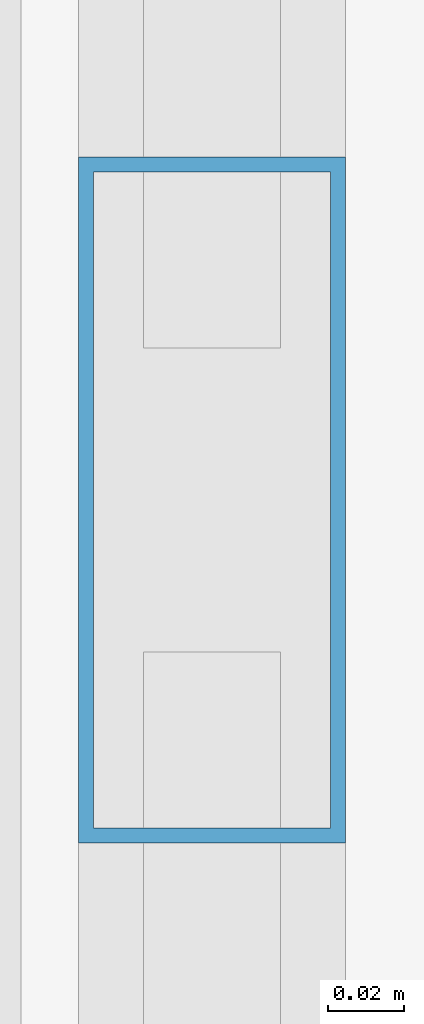
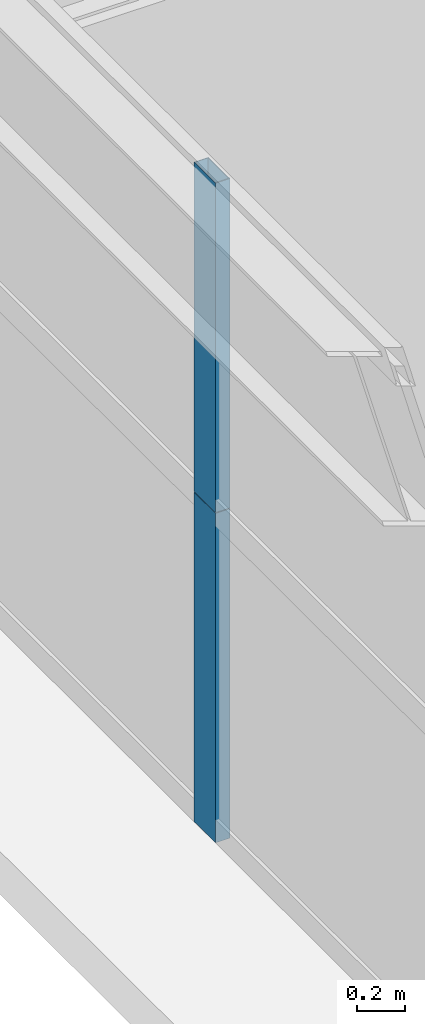
# One storey, part 7 of 38: 2 members, 1 element without a shape of its own.
"""IFC4 building model written with IfcOpenShell, lengths in metres."""

from ifc_helpers import new_model, si_unit, direction, frame, origin, origin_2d, place, context, subcontext, project, spatial, hollow_rectangle, extrude, source, transform, mapped, material, layer, layer_set, material_profile, profile_set, type_object, element, aggregate, save


model = new_model("IFC4")

# Units and contexts
model_context = context("Model", 3, precision=1e-05, world=origin(), true_north=direction((0.0, 1.0)))
body_context = subcontext(model_context, "Body", "Model", "MODEL_VIEW")
ifc_project = project(units=[si_unit("LENGTHUNIT", "METRE"), si_unit("AREAUNIT", "SQUARE_METRE"), si_unit("VOLUMEUNIT", "CUBIC_METRE"), si_unit("PLANEANGLEUNIT", "RADIAN"), si_unit("MASSUNIT", "GRAM", prefix="KILO"), si_unit("THERMODYNAMICTEMPERATUREUNIT", "KELVIN"), si_unit("POWERUNIT", "WATT")], contexts=[model_context])

# Site, building, storey
site_placement = place(None, origin())
site = spatial("IfcSite", under=ifc_project, at=site_placement, CompositionType="ELEMENT")
building_placement = place(site_placement, origin())
building = spatial("IfcBuilding", under=site, at=building_placement, Name="Yuzanri Waterfront Tower", CompositionType="ELEMENT")
storey_placement = place(building_placement, frame((0.0, 0.0, 111.800048828125)))
storey = spatial("IfcBuildingStorey", under=building, at=storey_placement, Name="L29", CompositionType="ELEMENT", Elevation=111.800048828125)

# Curtain wall, members
ifc_material_1 = material(Name="Anodized Architectural Bronze", Category="metal")
ifc_layer = layer(ifc_material_1, 0.159912109375)
ifc_layer_set = layer_set([ifc_layer], Name="Anodized Architectural Bronze")
curtain_wall_type = type_object("IfcCurtainWallType", Name="Anodized Bronze Hotel Upper-Tier Solar-Control Unitized Curtain Wall 7800", PredefinedType="NOTDEFINED", material=ifc_layer_set)
curtain_wall_placement = place(storey_placement, origin())
curtain_wall = element("IfcCurtainWall", 1, at=curtain_wall_placement, inside=storey, type_object=curtain_wall_type, Name="L29 Curtain Wall CW-L29-WL", PredefinedType="NOTDEFINED")
ifc_material_2 = material(Name="Anodized Architectural Bronze", Category="metal")
ifc_material_profile = material_profile(ifc_material_2, hollow_rectangle(XDim=0.070068359375, YDim=0.179931640625, WallThickness=0.00390625, at=origin_2d()), Name="CWM 70x180")
ifc_profile_set = profile_set([ifc_material_profile], Name="Anodized Architectural Bronze")
member_type = type_object("IfcMemberType", Name="Anodized Bronze Standard Curtain-Wall Mullion 70x180", PredefinedType="MULLION", material=ifc_profile_set)
shared_shape = source(origin(), body_context, "Body", "SweptSolid", [
    extrude(hollow_rectangle(XDim=0.070068359375, YDim=0.179931640625, WallThickness=0.00390625, at=origin_2d()), origin(), (0.0, 0.0, 1.0), 1.68798828125),
])
member_1_placement = place(storey_placement, frame((13.550048828125, 17.449951171875, 0.0), z_axis=(0.0, 0.0, 1.0), x_axis=(1.0, 0.0, 0.0)))
member_1 = element("IfcMember", 2, at=member_1_placement, type_object=member_type, Name="CW-L29-WL Lower Mullion 01", PredefinedType="MULLION", context=body_context, shape_type="MappedRepresentation", body=[
    mapped(shared_shape, transform((0.0, 0.0, 0.0), scale=1.0)),
])
member_2_placement = place(storey_placement, frame((13.550048828125, 17.449951171875, 1.69189453125), z_axis=(0.0, 0.0, 1.0), x_axis=(1.0, 0.0, 0.0)))
member_2 = element("IfcMember", 3, at=member_2_placement, type_object=member_type, Name="CW-L29-WL Upper Mullion 01", PredefinedType="MULLION", context=body_context, shape_type="MappedRepresentation", body=[
    mapped(shared_shape, transform((0.0, 0.0, 0.0), scale=1.0)),
])
aggregate(curtain_wall, [member_1, member_2])

save(model, "model.ifc")
